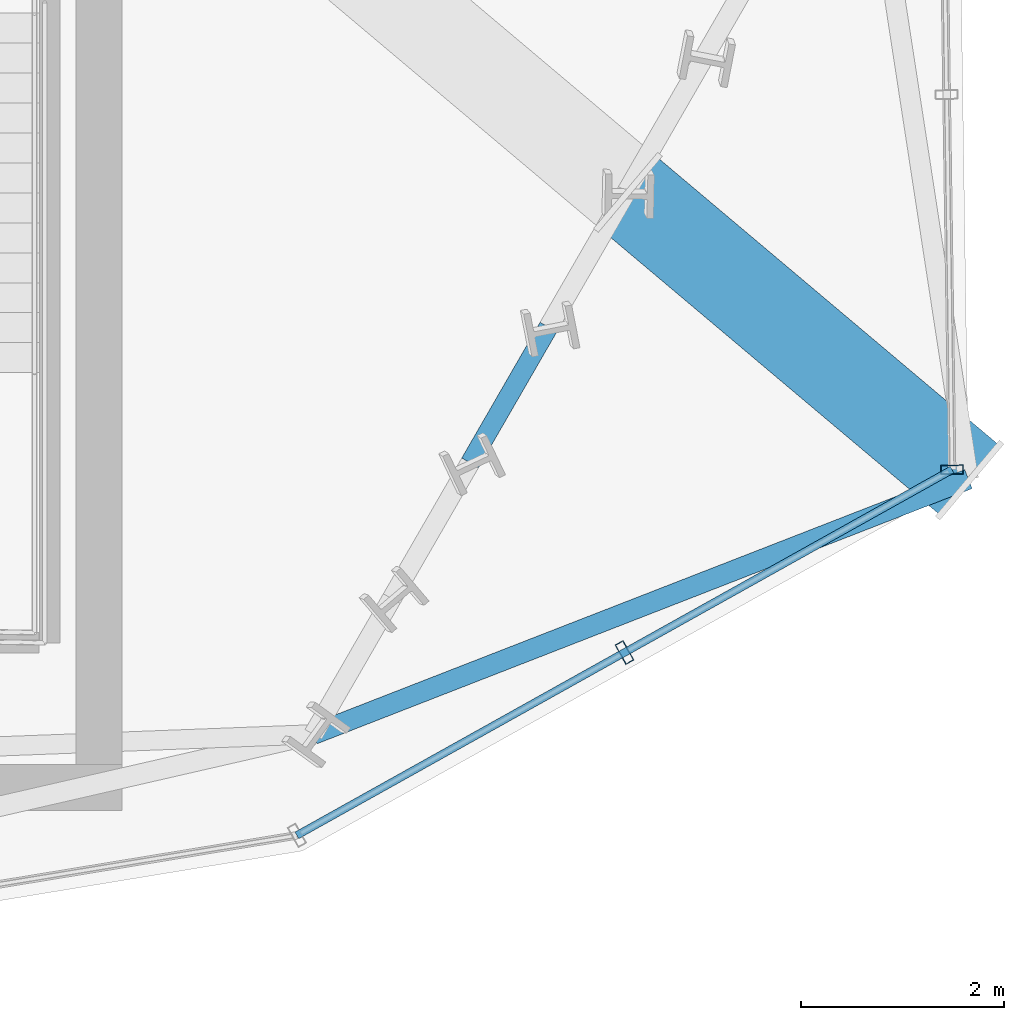
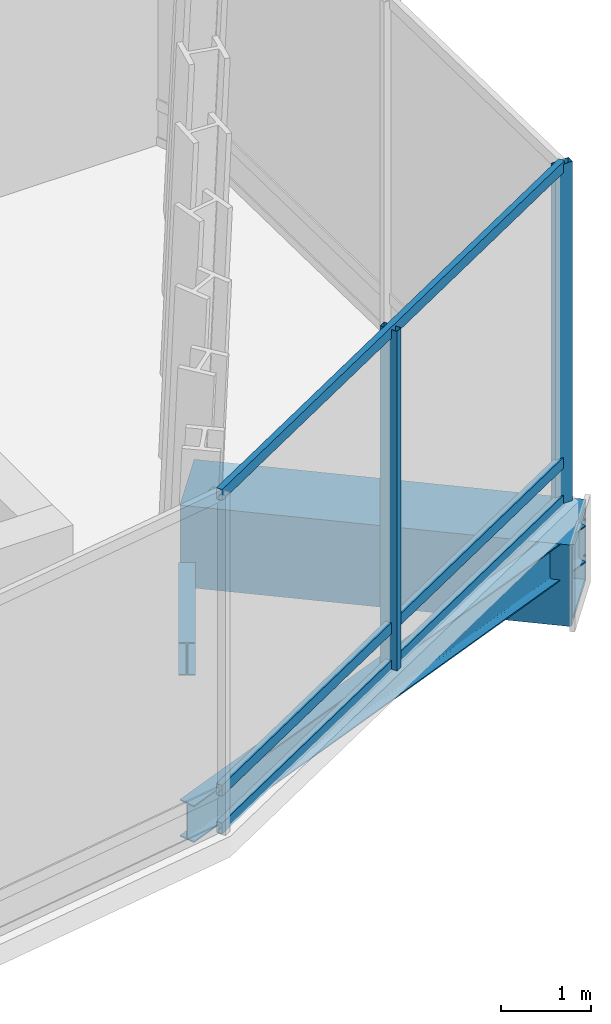
# One storey, part 10 of 26: 5 members, 3 beams, 2 elements without a shape of their own.
"""IFC4 building model written with IfcOpenShell, lengths in metres."""

from ifc_helpers import new_model, si_unit, direction, frame, origin, origin_2d, place, context, subcontext, project, spatial, hollow_rectangle, i_section, extrude, material, layer, layer_set, material_profile, profile_set, type_object, element, aggregate, save


model = new_model("IFC4")

# Units and contexts
model_context = context("Model", 3, precision=1e-05, world=origin(), true_north=direction((0.0, 1.0)))
body_context = subcontext(model_context, "Body", "Model", "MODEL_VIEW")
ifc_project = project(units=[si_unit("LENGTHUNIT", "METRE"), si_unit("AREAUNIT", "SQUARE_METRE"), si_unit("VOLUMEUNIT", "CUBIC_METRE"), si_unit("PLANEANGLEUNIT", "RADIAN"), si_unit("MASSUNIT", "GRAM", prefix="KILO")], contexts=[model_context])

# Site, building, storey
site_placement = place(None, origin())
site = spatial("IfcSite", under=ifc_project, at=site_placement, CompositionType="ELEMENT")
building_placement = place(site_placement, origin())
building = spatial("IfcBuilding", under=site, at=building_placement, Name="Ndaravel Arena Tower", CompositionType="ELEMENT")
storey_placement = place(building_placement, frame((0.0, 0.0, 122.199951171875)))
storey = spatial("IfcBuildingStorey", under=building, at=storey_placement, Name="L28", CompositionType="ELEMENT", Elevation=122.199951171875)

# Beams
ifc_material_1 = material(Name="Steel S355", Category="steel")
ifc_material_profile_1 = material_profile(ifc_material_1, i_section(OverallWidth=0.18994140625, OverallDepth=0.449951171875, WebThickness=0.009521484375, FlangeThickness=0.0146484375, FilletRadius=0.02099609375, at=origin_2d()), Name="IPE 450")
ifc_profile_set_1 = profile_set([ifc_material_profile_1], Name="Steel S355")
beam_type_1 = type_object("IfcBeamType", Name="BM-SPAN-IPE450", PredefinedType="SPANDREL", material=ifc_profile_set_1)
beam_1_placement = place(storey_placement, frame((60.979248046875, 8.8212890625, -0.5048828125), z_axis=(0.499882215713, 0.866093395895, 0.0), x_axis=(-0.866093395895, 0.499882215713, 0.0)))
element("IfcBeam", 1, at=beam_1_placement, inside=storey, type_object=beam_type_1, Name="L28 Perimeter Spandrel Beam SP-04", PredefinedType="SPANDREL", context=body_context, shape_type="SweptSolid", body=[
    extrude(i_section(OverallWidth=0.18994140625, OverallDepth=0.449951171875, WebThickness=0.009521484375, FlangeThickness=0.0146484375, FilletRadius=0.02099609375, at=origin_2d()), origin(), (0.0, 0.0, 1.0), 1.543212890625),
])
ifc_material_2 = material(Name="Steel S355", Category="steel")
ifc_material_profile_2 = material_profile(ifc_material_2, i_section(OverallWidth=0.199951171875, OverallDepth=0.5, WebThickness=0.01025390625, FlangeThickness=0.01611328125, FilletRadius=0.02099609375, at=origin_2d()), Name="IPE 500")
ifc_profile_set_2 = profile_set([ifc_material_profile_2], Name="Steel S355")
beam_type_2 = type_object("IfcBeamType", Name="BM-SPAN-IPE500", PredefinedType="SPANDREL", material=ifc_profile_set_2)
beam_2_placement = place(storey_placement, frame((59.435791015625, 6.148193359375, -0.530029296875), z_axis=(0.931780800221, 0.363021404794, 0.0), x_axis=(-0.363021404794, 0.931780800221, 0.0)))
element("IfcBeam", 2, at=beam_2_placement, inside=storey, type_object=beam_type_2, Name="L28 Star Facet Edge Beam SEA-3", PredefinedType="SPANDREL", context=body_context, shape_type="SweptSolid", body=[
    extrude(i_section(OverallWidth=0.199951171875, OverallDepth=0.5, WebThickness=0.01025390625, FlangeThickness=0.01611328125, FilletRadius=0.02099609375, at=origin_2d()), origin(), (0.0, 0.0, 1.0), 6.9228515625),
])
ifc_material_3 = material(Name="Steel S460", Category="steel")
ifc_material_profile_3 = material_profile(ifc_material_3, hollow_rectangle(XDim=0.89990234375, YDim=1.10009765625, WallThickness=0.06494140625, at=origin_2d()), Name="BOX 1100x900x65")
ifc_profile_set_3 = profile_set([ifc_material_profile_3], Name="Steel S460")
beam_type_3 = type_object("IfcBeamType", Name="BM-STAR-BOX1100", PredefinedType="BEAM", material=ifc_profile_set_3)
beam_3_placement = place(storey_placement, frame((62.5224609375, 11.49462890625, -0.829833984375), z_axis=(0.764866572693, -0.644188734749, 0.0), x_axis=(0.644188734749, 0.764866572693, 0.0)))
element("IfcBeam", 3, at=beam_3_placement, inside=storey, type_object=beam_type_3, Name="L28 Star Cantilever Tip Girder SCG-3", PredefinedType="BEAM", context=body_context, shape_type="SweptSolid", body=[
    extrude(hollow_rectangle(XDim=0.89990234375, YDim=1.10009765625, WallThickness=0.06494140625, at=origin_2d()), origin(), (0.0, 0.0, 1.0), 4.398193359375),
])

# Curtain wall, member
ifc_material_4 = material(Name="Aluminium", Category="aluminium")
ifc_layer = layer(ifc_material_4, 0.179931640625)
ifc_layer_set = layer_set([ifc_layer], Name="Aluminium")
curtain_wall_type = type_object("IfcCurtainWallType", Name="CW-SYS-04", PredefinedType="NOTDEFINED", material=ifc_layer_set)
curtain_wall_1_placement = place(storey_placement, origin())
curtain_wall_1 = element("IfcCurtainWall", 4, at=curtain_wall_1_placement, inside=storey, type_object=curtain_wall_type, Name="L28 Faceted Crystal Curtain Wall CW-L28-E04", PredefinedType="NOTDEFINED")
ifc_material_5 = material(Name="Aluminium", Category="aluminium")
ifc_material_profile_4 = material_profile(ifc_material_5, hollow_rectangle(XDim=0.090087890625, YDim=0.219970703125, WallThickness=0.0048828125, at=origin_2d()), Name="CW MULLION 90x220x5")
ifc_profile_set_4 = profile_set([ifc_material_profile_4], Name="Aluminium")
member_type_1 = type_object("IfcMemberType", Name="MEM-CW-MUL220", PredefinedType="MULLION", material=ifc_profile_set_4)
member_1_placement = place(storey_placement, frame((62.499267578125, 6.953857421875, 0.0), z_axis=(0.0, 0.0, 1.0), x_axis=(0.87317740032, 0.487402531354, 0.0)))
member_1 = element("IfcMember", 5, at=member_1_placement, type_object=member_type_1, Name="CW-L28-E04 Mullion 01", PredefinedType="MULLION", context=body_context, shape_type="SweptSolid", body=[
    extrude(hollow_rectangle(XDim=0.090087890625, YDim=0.219970703125, WallThickness=0.0048828125, at=origin_2d()), origin(), (0.0, 0.0, 1.0), 4.580078125),
])

curtain_wall_2_placement = place(storey_placement, origin())
curtain_wall_2 = element("IfcCurtainWall", 6, at=curtain_wall_2_placement, inside=storey, type_object=curtain_wall_type, Name="L28 Faceted Crystal Curtain Wall CW-L28-E05", PredefinedType="NOTDEFINED")
member_2_placement = place(storey_placement, frame((65.72509765625, 8.75439453125, 0.0), z_axis=(0.0, 0.0, 1.0), x_axis=(-0.014503177598, 0.999894823389, 0.0)))
member_2 = element("IfcMember", 7, at=member_2_placement, type_object=member_type_1, Name="CW-L28-E05 Mullion 00", PredefinedType="MULLION", context=body_context, shape_type="SweptSolid", body=[
    extrude(hollow_rectangle(XDim=0.090087890625, YDim=0.219970703125, WallThickness=0.0048828125, at=origin_2d()), origin(), (0.0, 0.0, 1.0), 4.580078125),
])
aggregate(curtain_wall_2, [member_2])

# Member
ifc_material_6 = material(Name="Aluminium", Category="aluminium")
ifc_material_profile_5 = material_profile(ifc_material_6, hollow_rectangle(XDim=0.074951171875, YDim=0.14990234375, WallThickness=0.00390625, at=origin_2d()), Name="CW TRANSOM 75x150x4")
ifc_profile_set_5 = profile_set([ifc_material_profile_5], Name="Aluminium")
member_type_2 = type_object("IfcMemberType", Name="MEM-CW-TRN150", PredefinedType="USERDEFINED", material=ifc_profile_set_5)
member_3_placement = place(storey_placement, frame((59.2734375, 5.1533203125, 0.0400390625), z_axis=(0.873189199321, 0.487381392946, 0.0), x_axis=(-0.487381392946, 0.873189199321, 0.0)))
member_3 = element("IfcMember", 8, at=member_3_placement, type_object=member_type_2, Name="CW-L28-E04 Transom 01", ObjectType="TRANSOM", PredefinedType="USERDEFINED", context=body_context, shape_type="SweptSolid", body=[
    extrude(hollow_rectangle(XDim=0.074951171875, YDim=0.14990234375, WallThickness=0.00390625, at=origin_2d()), origin(), (0.0, 0.0, 1.0), 7.388671875),
])

member_4_placement = place(storey_placement, frame((59.2734375, 5.1533203125, 0.550048828125), z_axis=(0.873189199321, 0.487381392946, 0.0), x_axis=(-0.487381392946, 0.873189199321, 0.0)))
member_4 = element("IfcMember", 9, at=member_4_placement, type_object=member_type_2, Name="CW-L28-E04 Transom 02", ObjectType="TRANSOM", PredefinedType="USERDEFINED", context=body_context, shape_type="SweptSolid", body=[
    extrude(hollow_rectangle(XDim=0.074951171875, YDim=0.14990234375, WallThickness=0.00390625, at=origin_2d()), origin(), (0.0, 0.0, 1.0), 7.388671875),
])

member_5_placement = place(storey_placement, frame((59.2734375, 5.1533203125, 4.5400390625), z_axis=(0.873189199321, 0.487381392946, 0.0), x_axis=(-0.487381392946, 0.873189199321, 0.0)))
member_5 = element("IfcMember", 10, at=member_5_placement, type_object=member_type_2, Name="CW-L28-E04 Transom 03", ObjectType="TRANSOM", PredefinedType="USERDEFINED", context=body_context, shape_type="SweptSolid", body=[
    extrude(hollow_rectangle(XDim=0.074951171875, YDim=0.14990234375, WallThickness=0.00390625, at=origin_2d()), origin(), (0.0, 0.0, 1.0), 7.388671875),
])

aggregate(curtain_wall_1, [member_1, member_3, member_4, member_5])

save(model, "model.ifc")
